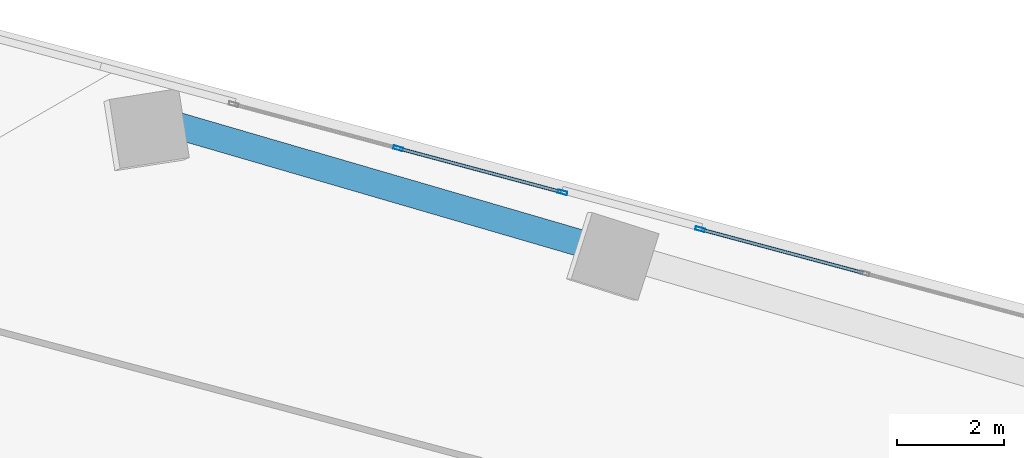
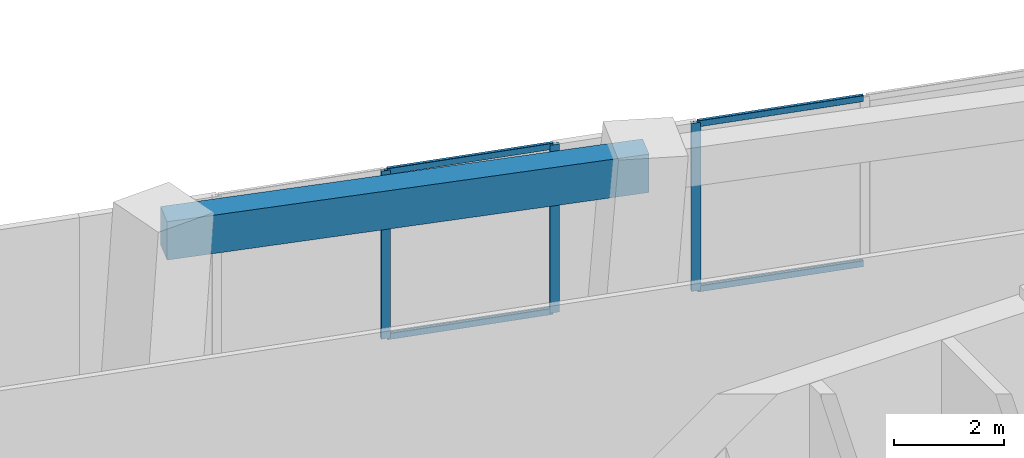
# One storey, part 13 of 26: 7 members, 1 beam, 2 elements without a shape of their own.
"""IFC4 building model written with IfcOpenShell, lengths in metres."""

from ifc_helpers import new_model, si_unit, direction, frame, origin, origin_2d, place, context, subcontext, project, spatial, rectangle, hollow_rectangle, extrude, source, transform, mapped, material, material_profile, profile_set, type_object, element, aggregate, save


model = new_model("IFC4")

# Units and contexts
model_context = context("Model", 3, precision=1e-05, world=origin(), true_north=direction((0.0, 1.0)))
body_context = subcontext(model_context, "Body", "Model", "MODEL_VIEW")
ifc_project = project(units=[si_unit("LENGTHUNIT", "METRE"), si_unit("AREAUNIT", "SQUARE_METRE"), si_unit("VOLUMEUNIT", "CUBIC_METRE"), si_unit("PLANEANGLEUNIT", "RADIAN"), si_unit("MASSUNIT", "GRAM", prefix="KILO")], contexts=[model_context])

# Site, building, storey
site_placement = place(None, origin())
site = spatial("IfcSite", under=ifc_project, at=site_placement, CompositionType="ELEMENT")
building_placement = place(site_placement, origin())
building = spatial("IfcBuilding", under=site, at=building_placement, Name="Torre Montelarca", CompositionType="ELEMENT")
storey_placement = place(building_placement, frame((0.0, 0.0, 104.199951171875)))
storey = spatial("IfcBuildingStorey", under=building, at=storey_placement, Name="L23", CompositionType="ELEMENT", Elevation=104.199951171875)

# Beam
ifc_material_1 = material(Name="Concrete C55/67", Category="concrete")
ifc_material_profile_1 = material_profile(ifc_material_1, rectangle(XDim=0.5, YDim=0.85009765625, at=origin_2d()), Name="RCB500X850", Category="concrete")
ifc_profile_set_1 = profile_set([ifc_material_profile_1], Name="Concrete C55/67")
beam_type = type_object("IfcBeamType", Name="BM-SP-RC850-EXT", PredefinedType="SPANDREL", material=ifc_profile_set_1)
shared_shape_1 = source(origin(), body_context, "Body", "SweptSolid", [
    extrude(rectangle(XDim=0.5, YDim=0.85009765625, at=origin_2d()), origin(), (0.0, 0.0, 1.0), 9.0),
])
beam_placement = place(storey_placement, frame((13.73876953125, 50.04248046875, 3.53515625), z_axis=(0.960053758977, -0.279815617639, 0.0), x_axis=(0.279815617639, 0.960053758977, 0.0)))
element("IfcBeam", 1, at=beam_placement, inside=storey, type_object=beam_type, Name="L23 Grid Girder X 9.0-18.0 at Y=47.1", PredefinedType="SPANDREL", context=body_context, shape_type="MappedRepresentation", body=[
    mapped(shared_shape_1, transform((0.0, 0.0, 0.0), scale=1.0)),
])

# Curtain wall, members
ifc_material_2 = material(Name="Insulated low-E laminated glass", Category="glass")
curtain_wall_type = type_object("IfcCurtainWallType", Name="CW-SYS-Z1", PredefinedType="USERDEFINED", material=ifc_material_2)
curtain_wall_1_placement = place(storey_placement, origin())
curtain_wall_1 = element("IfcCurtainWall", 2, at=curtain_wall_1_placement, inside=storey, type_object=curtain_wall_type, Name="L23 Curtain Wall Run CW-T3-L23-E08-B3", ObjectType="UNITISED GLAZING", PredefinedType="USERDEFINED")
ifc_material_3 = material(Name="Anodised aluminium AA 6063-T6", Category="aluminium")
ifc_material_profile_2 = material_profile(ifc_material_3, hollow_rectangle(XDim=0.06494140625, YDim=0.139892578125, WallThickness=0.00390625, InnerFilletRadius=0.00390625, OuterFilletRadius=0.008056640625, at=origin_2d()), Name="ALU65X140X4", Category="aluminium")
ifc_profile_set_2 = profile_set([ifc_material_profile_2], Name="Anodised aluminium AA 6063-T6")
member_type_1 = type_object("IfcMemberType", Name="CWT-ALU140", PredefinedType="USERDEFINED", material=ifc_profile_set_2)
shared_shape_2 = source(origin(), body_context, "Body", "SweptSolid", [
    extrude(hollow_rectangle(XDim=0.06494140625, YDim=0.139892578125, WallThickness=0.00390625, InnerFilletRadius=0.00390625, OuterFilletRadius=0.008056640625, at=origin_2d()), origin(), (0.0, 0.0, 1.0), 3.106689453125),
])
member_1_placement = place(storey_placement, frame((26.753662109375, 47.229248046875, 0.032470703125), z_axis=(-0.965938230896, 0.258772746041, 0.0), x_axis=(-0.258772746041, -0.965938230896, 0.0)))
member_1 = element("IfcMember", 3, at=member_1_placement, type_object=member_type_1, Name="CW transom 2.1", ObjectType="TRANSOM", PredefinedType="USERDEFINED", context=body_context, shape_type="MappedRepresentation", body=[
    mapped(shared_shape_2, transform((0.0, 0.0, 0.0), scale=1.0)),
])
member_2_placement = place(storey_placement, frame((26.753662109375, 47.229248046875, 3.6875), z_axis=(-0.965938230896, 0.258772746041, 0.0), x_axis=(-0.258772746041, -0.965938230896, 0.0)))
member_2 = element("IfcMember", 4, at=member_2_placement, type_object=member_type_1, Name="CW transom 2.2", ObjectType="TRANSOM", PredefinedType="USERDEFINED", context=body_context, shape_type="MappedRepresentation", body=[
    mapped(shared_shape_2, transform((0.0, 0.0, 0.0), scale=1.0)),
])

curtain_wall_2_placement = place(storey_placement, origin())
curtain_wall_2 = element("IfcCurtainWall", 5, at=curtain_wall_2_placement, inside=storey, type_object=curtain_wall_type, Name="L23 Curtain Wall Run CW-T3-L23-E08-B4", ObjectType="UNITISED GLAZING", PredefinedType="USERDEFINED")
shared_shape_3 = source(origin(), body_context, "Body", "SweptSolid", [
    extrude(hollow_rectangle(XDim=0.06494140625, YDim=0.139892578125, WallThickness=0.00390625, InnerFilletRadius=0.00390625, OuterFilletRadius=0.008056640625, at=origin_2d()), origin(), (0.0, 0.0, 1.0), 3.10595703125),
])
member_3_placement = place(storey_placement, frame((21.124267578125, 48.737548828125, 0.032470703125), z_axis=(-0.965917172674, 0.258851338673, 0.0), x_axis=(-0.258851338673, -0.965917172674, 0.0)))
member_3 = element("IfcMember", 6, at=member_3_placement, type_object=member_type_1, Name="CW transom 1.1", ObjectType="TRANSOM", PredefinedType="USERDEFINED", context=body_context, shape_type="MappedRepresentation", body=[
    mapped(shared_shape_3, transform((0.0, 0.0, 0.0), scale=1.0)),
])
member_4_placement = place(storey_placement, frame((21.124267578125, 48.737548828125, 3.6875), z_axis=(-0.965917172674, 0.258851338673, 0.0), x_axis=(-0.258851338673, -0.965917172674, 0.0)))
member_4 = element("IfcMember", 7, at=member_4_placement, type_object=member_type_1, Name="CW transom 1.2", ObjectType="TRANSOM", PredefinedType="USERDEFINED", context=body_context, shape_type="MappedRepresentation", body=[
    mapped(shared_shape_3, transform((0.0, 0.0, 0.0), scale=1.0)),
])

# Member
ifc_material_profile_3 = material_profile(ifc_material_3, hollow_rectangle(XDim=0.06494140625, YDim=0.179931640625, WallThickness=0.00390625, InnerFilletRadius=0.00390625, OuterFilletRadius=0.008056640625, at=origin_2d()), Name="ALU65X180X4", Category="aluminium")
ifc_profile_set_3 = profile_set([ifc_material_profile_3], Name="Anodised aluminium AA 6063-T6")
member_type_2 = type_object("IfcMemberType", Name="CWM-ALU180", PredefinedType="MULLION", material=ifc_profile_set_3)
shared_shape_4 = source(origin(), body_context, "Body", "SweptSolid", [
    extrude(hollow_rectangle(XDim=0.06494140625, YDim=0.179931640625, WallThickness=0.00390625, InnerFilletRadius=0.00390625, OuterFilletRadius=0.008056640625, at=origin_2d()), origin(), (0.0, 0.0, 1.0), 3.719970703125),
])
member_5_placement = place(storey_placement, frame((23.721435546875, 48.041748046875, 0.0), z_axis=(0.0, 0.0, 1.0), x_axis=(-0.258821099911, -0.965925275703, 0.0)))
member_5 = element("IfcMember", 8, at=member_5_placement, type_object=member_type_2, Name="CW mullion 3", PredefinedType="MULLION", context=body_context, shape_type="MappedRepresentation", body=[
    mapped(shared_shape_4, transform((0.0, 0.0, 0.0), scale=1.0)),
])

aggregate(curtain_wall_1, [member_5, member_1, member_2])

member_6_placement = place(storey_placement, frame((21.155517578125, 48.729248046875, 0.0), z_axis=(0.0, 0.0, 1.0), x_axis=(-0.258815667433, -0.965926731327, 0.0)))
member_6 = element("IfcMember", 9, at=member_6_placement, type_object=member_type_2, Name="CW mullion 1", PredefinedType="MULLION", context=body_context, shape_type="MappedRepresentation", body=[
    mapped(shared_shape_4, transform((0.0, 0.0, 0.0), scale=1.0)),
])

member_7_placement = place(storey_placement, frame((18.093017578125, 49.5498046875, 0.0), z_axis=(0.0, 0.0, 1.0), x_axis=(-0.258815667433, -0.965926731327, 0.0)))
member_7 = element("IfcMember", 10, at=member_7_placement, type_object=member_type_2, Name="CW mullion 2", PredefinedType="MULLION", context=body_context, shape_type="MappedRepresentation", body=[
    mapped(shared_shape_4, transform((0.0, 0.0, 0.0), scale=1.0)),
])

aggregate(curtain_wall_2, [member_6, member_7, member_3, member_4])

save(model, "model.ifc")
